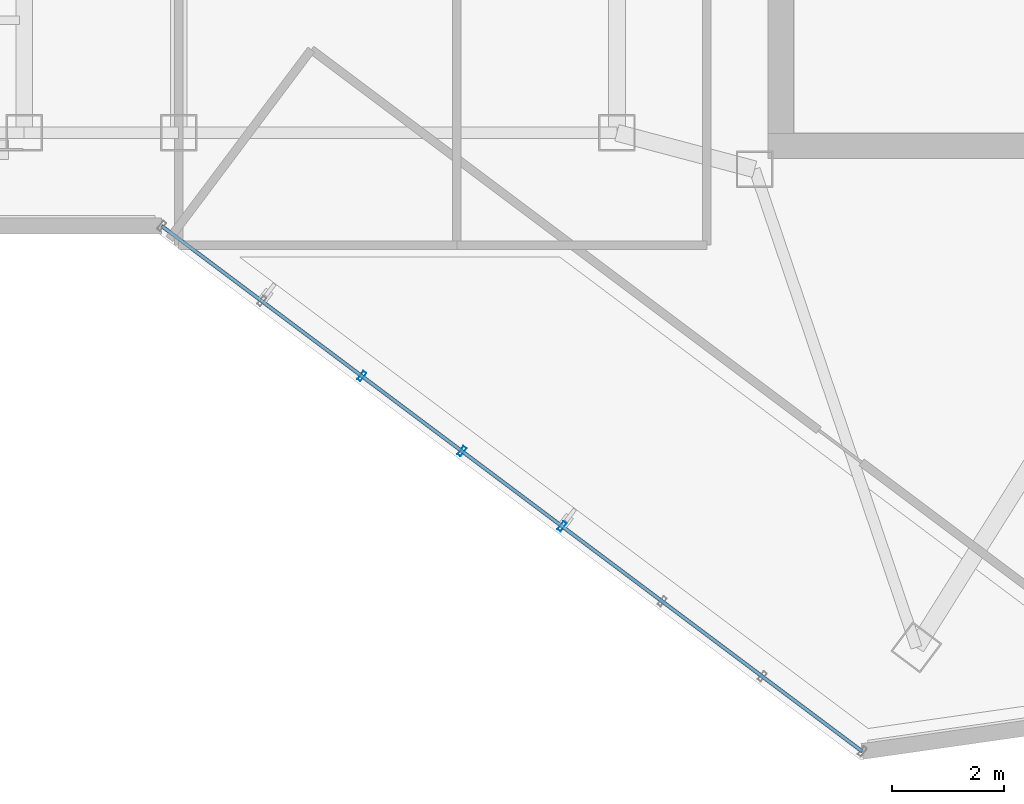
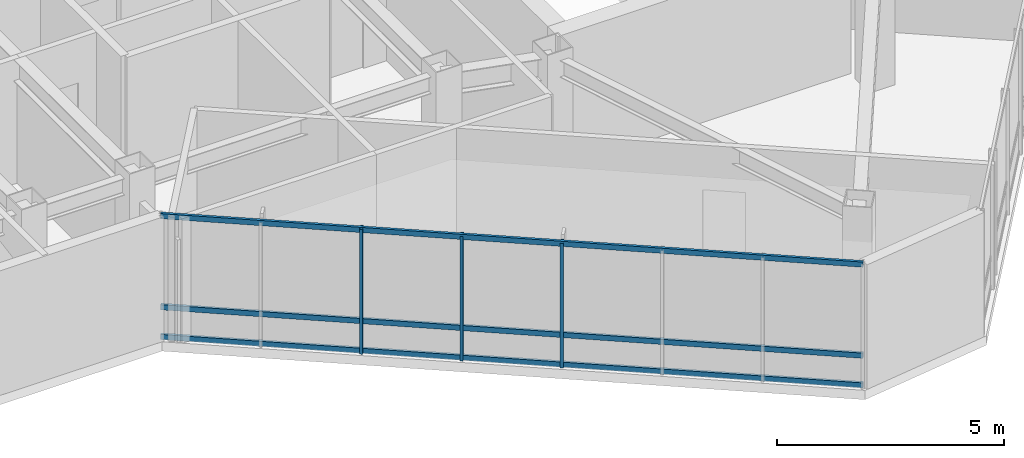
# One storey, part 2 of 22: 6 members, 1 element without a shape of its own.
"""IFC4 building model written with IfcOpenShell, lengths in metres."""

from ifc_helpers import new_model, si_unit, direction, frame, origin, origin_2d, place, context, subcontext, project, spatial, hollow_rectangle, extrude, material, layer, layer_set, material_profile, profile_set, type_object, element, aggregate, save


model = new_model("IFC4")

# Units and contexts
model_context = context("Model", 3, precision=1e-05, world=origin(), true_north=direction((0.0, 1.0)))
body_context = subcontext(model_context, "Body", "Model", "MODEL_VIEW")
ifc_project = project(units=[si_unit("LENGTHUNIT", "METRE"), si_unit("AREAUNIT", "SQUARE_METRE"), si_unit("VOLUMEUNIT", "CUBIC_METRE"), si_unit("PLANEANGLEUNIT", "RADIAN"), si_unit("MASSUNIT", "GRAM", prefix="KILO")], contexts=[model_context])

# Site, building, storey
site_placement = place(None, origin())
site = spatial("IfcSite", under=ifc_project, at=site_placement, CompositionType="ELEMENT")
building_placement = place(site_placement, origin())
building = spatial("IfcBuilding", under=site, at=building_placement, Name="Hatsunagi Terrace Concourse", CompositionType="ELEMENT")
storey_placement = place(building_placement, frame((0.0, 0.0, 243.14990234375)))
storey = spatial("IfcBuildingStorey", under=building, at=storey_placement, Name="L64", CompositionType="ELEMENT", Elevation=243.14990234375)

# Curtain wall, members
ifc_material_1 = material(Name="Anodised Aluminium Alloy 6063-T5", Category="aluminium")
ifc_layer = layer(ifc_material_1, 0.199951171875)
ifc_layer_set = layer_set([ifc_layer], Name="OfficeZone2_CW04")
curtain_wall_type = type_object("IfcCurtainWallType", Name="OfficeZone2_CW04", PredefinedType="NOTDEFINED", material=ifc_layer_set)
curtain_wall_placement = place(storey_placement, origin())
curtain_wall = element("IfcCurtainWall", 1, at=curtain_wall_placement, inside=storey, type_object=curtain_wall_type, Name="Unitised Curtain Wall CW-04 CW-L64-05", PredefinedType="NOTDEFINED")
ifc_material_2 = material(Name="Anodised Aluminium Alloy 6063-T5", Category="aluminium")
ifc_material_profile_1 = material_profile(ifc_material_2, hollow_rectangle(XDim=0.070068359375, YDim=0.179931640625, WallThickness=0.00390625, at=origin_2d()), Name="ALU-MUL-180x70x4")
ifc_profile_set_1 = profile_set([ifc_material_profile_1], Name="Anodised Aluminium Alloy 6063-T5")
member_type_1 = type_object("IfcMemberType", Name="CurtainWallMullion_180x70", PredefinedType="MULLION", material=ifc_profile_set_1)
member_1_placement = place(storey_placement, frame((32.373046875, 18.195068359375, 0.0), z_axis=(0.0, 0.0, 1.0), x_axis=(-0.800007305671, 0.599990258982, 0.0)))
member_1 = element("IfcMember", 2, at=member_1_placement, type_object=member_type_1, Name="Curtain Wall Mullion MUL-02", PredefinedType="MULLION", context=body_context, shape_type="SweptSolid", body=[
    extrude(hollow_rectangle(XDim=0.070068359375, YDim=0.179931640625, WallThickness=0.00390625, at=origin_2d()), origin(), (0.0, 0.0, 1.0), 3.35009765625),
])
member_2_placement = place(storey_placement, frame((30.592041015625, 19.531982421875, 0.0), z_axis=(0.0, 0.0, 1.0), x_axis=(-0.800007305671, 0.599990258982, 0.0)))
member_2 = element("IfcMember", 3, at=member_2_placement, type_object=member_type_1, Name="Curtain Wall Mullion MUL-02", PredefinedType="MULLION", context=body_context, shape_type="SweptSolid", body=[
    extrude(hollow_rectangle(XDim=0.070068359375, YDim=0.179931640625, WallThickness=0.00390625, at=origin_2d()), origin(), (0.0, 0.0, 1.0), 3.35009765625),
])
member_3_placement = place(storey_placement, frame((28.81005859375, 20.867919921875, 0.0), z_axis=(0.0, 0.0, 1.0), x_axis=(-0.800007305671, 0.599990258982, 0.0)))
member_3 = element("IfcMember", 4, at=member_3_placement, type_object=member_type_1, Name="Curtain Wall Mullion MUL-02", PredefinedType="MULLION", context=body_context, shape_type="SweptSolid", body=[
    extrude(hollow_rectangle(XDim=0.070068359375, YDim=0.179931640625, WallThickness=0.00390625, at=origin_2d()), origin(), (0.0, 0.0, 1.0), 3.35009765625),
])
ifc_material_3 = material(Name="Anodised Aluminium Alloy 6063-T5", Category="aluminium")
ifc_material_profile_2 = material_profile(ifc_material_3, hollow_rectangle(XDim=0.06494140625, YDim=0.139892578125, WallThickness=0.00390625, at=origin_2d()), Name="ALU-TRN-140x65x4")
ifc_profile_set_2 = profile_set([ifc_material_profile_2], Name="Anodised Aluminium Alloy 6063-T5")
member_type_2 = type_object("IfcMemberType", Name="CurtainWallTransom_140x65", PredefinedType="USERDEFINED", material=ifc_profile_set_2)
member_4_placement = place(storey_placement, frame((37.718017578125, 14.18701171875, 0.050048828125), z_axis=(-0.800005638109, 0.599992482448, 0.0), x_axis=(-0.599992482448, -0.800005638109, 0.0)))
member_4 = element("IfcMember", 5, at=member_4_placement, type_object=member_type_2, Name="Curtain Wall Transom TRN-02", ObjectType="TRANSOM", PredefinedType="USERDEFINED", context=body_context, shape_type="SweptSolid", body=[
    extrude(hollow_rectangle(XDim=0.06494140625, YDim=0.139892578125, WallThickness=0.00390625, at=origin_2d()), origin(), (0.0, 0.0, 1.0), 15.588623046875),
])
member_5_placement = place(storey_placement, frame((37.718017578125, 14.18701171875, 0.85009765625), z_axis=(-0.800005638109, 0.599992482448, 0.0), x_axis=(-0.599992482448, -0.800005638109, 0.0)))
member_5 = element("IfcMember", 6, at=member_5_placement, type_object=member_type_2, Name="Curtain Wall Transom TRN-02", ObjectType="TRANSOM", PredefinedType="USERDEFINED", context=body_context, shape_type="SweptSolid", body=[
    extrude(hollow_rectangle(XDim=0.06494140625, YDim=0.139892578125, WallThickness=0.00390625, at=origin_2d()), origin(), (0.0, 0.0, 1.0), 15.588623046875),
])
member_6_placement = place(storey_placement, frame((37.718017578125, 14.18701171875, 3.300048828125), z_axis=(-0.800005638109, 0.599992482448, 0.0), x_axis=(-0.599992482448, -0.800005638109, 0.0)))
member_6 = element("IfcMember", 7, at=member_6_placement, type_object=member_type_2, Name="Curtain Wall Transom TRN-02", ObjectType="TRANSOM", PredefinedType="USERDEFINED", context=body_context, shape_type="SweptSolid", body=[
    extrude(hollow_rectangle(XDim=0.06494140625, YDim=0.139892578125, WallThickness=0.00390625, at=origin_2d()), origin(), (0.0, 0.0, 1.0), 15.588623046875),
])
aggregate(curtain_wall, [member_1, member_2, member_3, member_4, member_5, member_6])

save(model, "model.ifc")
